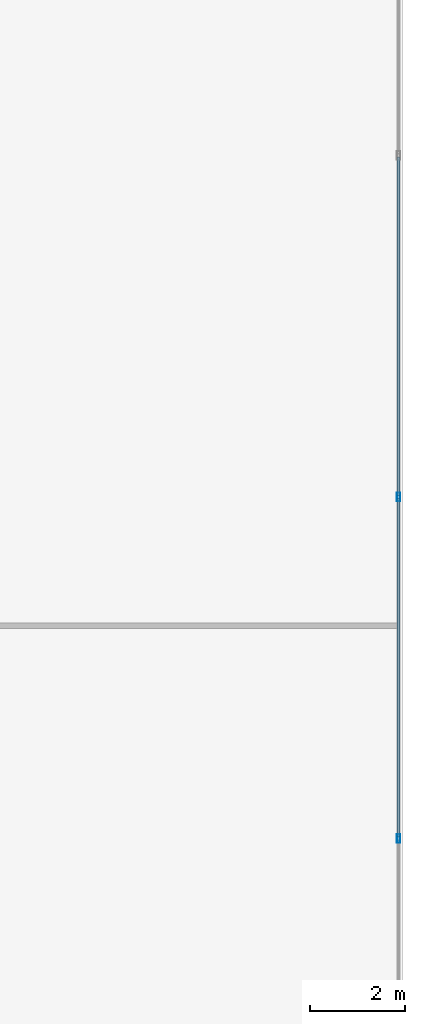
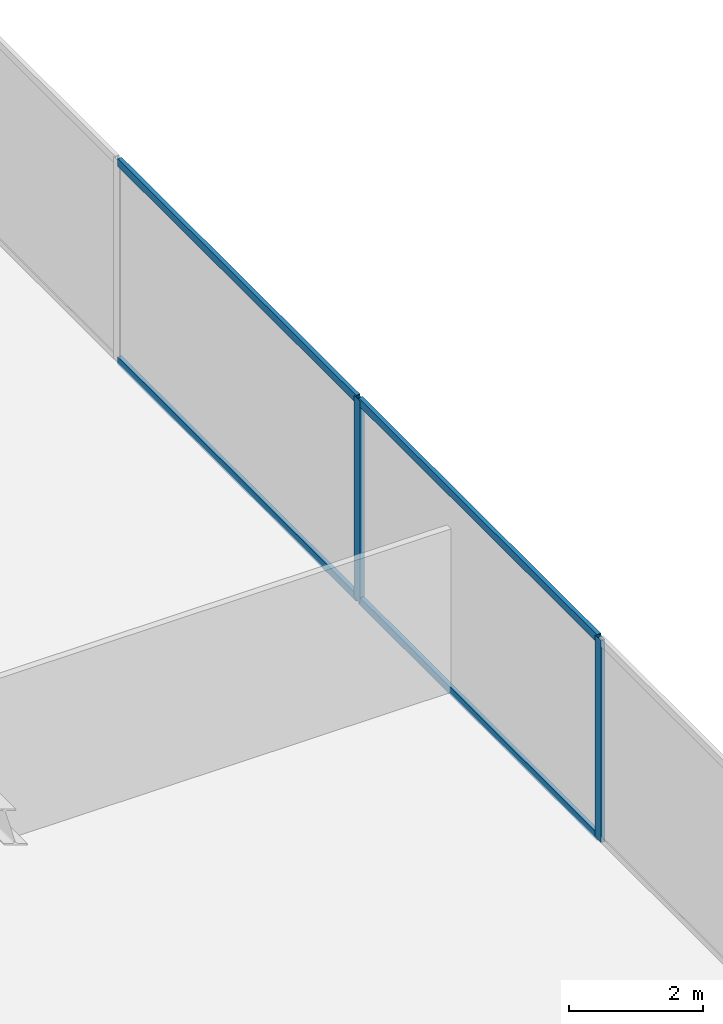
# One storey, part 14 of 28: 6 members, 1 element without a shape of its own.
"""IFC4 building model written with IfcOpenShell, lengths in metres."""

from ifc_helpers import new_model, si_unit, direction, frame, origin, origin_2d, place, context, subcontext, project, spatial, hollow_rectangle, extrude, source, transform, mapped, material, material_profile, profile_set, type_object, type_shapes, element, aggregate, save


model = new_model("IFC4")

# Units and contexts
model_context = context("Model", 3, precision=1e-05, world=origin(), true_north=direction((0.0, 1.0)))
body_context = subcontext(model_context, "Body", "Model", "MODEL_VIEW")
ifc_project = project(units=[si_unit("LENGTHUNIT", "METRE"), si_unit("AREAUNIT", "SQUARE_METRE"), si_unit("VOLUMEUNIT", "CUBIC_METRE"), si_unit("PLANEANGLEUNIT", "RADIAN"), si_unit("MASSUNIT", "GRAM", prefix="KILO")], contexts=[model_context])

# Site, building, storey
site_placement = place(None, origin())
site = spatial("IfcSite", under=ifc_project, at=site_placement, CompositionType="ELEMENT")
building_placement = place(site_placement, origin())
building = spatial("IfcBuilding", under=site, at=building_placement, Name="Krantzveldt Concourse Tower", CompositionType="ELEMENT")
storey_placement = place(building_placement, frame((0.0, 0.0, 28.949951171875)))
storey = spatial("IfcBuildingStorey", under=building, at=storey_placement, Name="L06", CompositionType="ELEMENT", Elevation=28.949951171875)

# Curtain wall, members
ifc_material = material(Name="Anodised aluminium 6063-T6", Category="aluminium")
curtain_wall_type = type_object("IfcCurtainWallType", Name="CW2", PredefinedType="USERDEFINED", material=ifc_material)
curtain_wall_placement = place(storey_placement, origin())
curtain_wall = element("IfcCurtainWall", 1, at=curtain_wall_placement, inside=storey, type_object=curtain_wall_type, Name="CW-L06-F07", ObjectType="UNITISED CURTAIN WALL", PredefinedType="USERDEFINED")
ifc_material_profile_1 = material_profile(ifc_material, hollow_rectangle(XDim=0.070068359375, YDim=0.139892578125, WallThickness=0.0048828125, at=origin_2d()), Name="Anodised aluminium 6063-T6", Category="aluminium")
ifc_profile_set_1 = profile_set([ifc_material_profile_1], Name="Anodised aluminium 6063-T6 - ALU-TRAN 140x70x5")
member_type_1 = type_object("IfcMemberType", Name="CW-TRN-150", PredefinedType="USERDEFINED", material=ifc_profile_set_1)
shared_shape_1 = source(origin(), body_context, "Body", "SweptSolid", [
    extrude(hollow_rectangle(XDim=0.070068359375, YDim=0.139892578125, WallThickness=0.0048828125, at=origin_2d()), origin(), (0.0, 0.0, 1.0), 7.0966796875),
])
type_shapes(member_type_1, [shared_shape_1])
member_1_placement = place(storey_placement, frame((60.909912109375, 19.568359375, 0.03515625), z_axis=(0.0, 1.0, 0.0), x_axis=(-1.0, 0.0, 0.0)))
member_1 = element("IfcMember", 2, at=member_1_placement, type_object=member_type_1, Name="CW-Z12 transom 3.1", ObjectType="TRANSOM", PredefinedType="USERDEFINED", context=body_context, shape_type="MappedRepresentation", body=[
    mapped(shared_shape_1, transform((0.0, 0.0, 0.0), x_axis=(1.0, 0.0, 0.0), y_axis=(0.0, 1.0, 0.0), z_axis=(0.0, 0.0, 1.0), scale=1.0)),
])
member_2_placement = place(storey_placement, frame((60.909912109375, 19.568359375, 3.635009765625), z_axis=(0.0, 1.0, 0.0), x_axis=(-1.0, 0.0, 0.0)))
member_2 = element("IfcMember", 3, at=member_2_placement, type_object=member_type_1, Name="CW-Z12 transom 3.2", ObjectType="TRANSOM", PredefinedType="USERDEFINED", context=body_context, shape_type="MappedRepresentation", body=[
    mapped(shared_shape_1, transform((0.0, 0.0, 0.0), x_axis=(1.0, 0.0, 0.0), y_axis=(0.0, 1.0, 0.0), z_axis=(0.0, 0.0, 1.0), scale=1.0)),
])
member_3_placement = place(storey_placement, frame((60.909912109375, 26.735107421875, 0.03515625), z_axis=(0.0, 1.0, 0.0), x_axis=(-1.0, 0.0, 0.0)))
member_3 = element("IfcMember", 4, at=member_3_placement, type_object=member_type_1, Name="CW-Z12 transom 4.1", ObjectType="TRANSOM", PredefinedType="USERDEFINED", context=body_context, shape_type="MappedRepresentation", body=[
    mapped(shared_shape_1, transform((0.0, 0.0, 0.0), x_axis=(1.0, 0.0, 0.0), y_axis=(0.0, 1.0, 0.0), z_axis=(0.0, 0.0, 1.0), scale=1.0)),
])
member_4_placement = place(storey_placement, frame((60.909912109375, 26.735107421875, 3.635009765625), z_axis=(0.0, 1.0, 0.0), x_axis=(-1.0, 0.0, 0.0)))
member_4 = element("IfcMember", 5, at=member_4_placement, type_object=member_type_1, Name="CW-Z12 transom 4.2", ObjectType="TRANSOM", PredefinedType="USERDEFINED", context=body_context, shape_type="MappedRepresentation", body=[
    mapped(shared_shape_1, transform((0.0, 0.0, 0.0), x_axis=(1.0, 0.0, 0.0), y_axis=(0.0, 1.0, 0.0), z_axis=(0.0, 0.0, 1.0), scale=1.0)),
])
ifc_material_profile_2 = material_profile(ifc_material, hollow_rectangle(XDim=0.070068359375, YDim=0.179931640625, WallThickness=0.0048828125, at=origin_2d()), Name="Anodised aluminium 6063-T6", Category="aluminium")
ifc_profile_set_2 = profile_set([ifc_material_profile_2], Name="Anodised aluminium 6063-T6 - ALU-MULL 180x70x5")
member_type_2 = type_object("IfcMemberType", Name="CW-MUL-180", PredefinedType="MULLION", material=ifc_profile_set_2)
shared_shape_2 = source(origin(), body_context, "Body", "SweptSolid", [
    extrude(hollow_rectangle(XDim=0.070068359375, YDim=0.179931640625, WallThickness=0.0048828125, at=origin_2d()), origin(), (0.0, 0.0, 1.0), 3.670166015625),
])
type_shapes(member_type_2, [shared_shape_2])
member_5_placement = place(storey_placement, frame((60.909912109375, 19.533447265625, 0.0), z_axis=(0.0, 0.0, 1.0), x_axis=(-1.0, 0.0, 0.0)))
member_5 = element("IfcMember", 6, at=member_5_placement, type_object=member_type_2, Name="CW-Z12 mullion 3", PredefinedType="MULLION", context=body_context, shape_type="MappedRepresentation", body=[
    mapped(shared_shape_2, transform((0.0, 0.0, 0.0), x_axis=(1.0, 0.0, 0.0), y_axis=(0.0, 1.0, 0.0), z_axis=(0.0, 0.0, 1.0), scale=1.0)),
])
member_6_placement = place(storey_placement, frame((60.909912109375, 26.699951171875, 0.0), z_axis=(0.0, 0.0, 1.0), x_axis=(-1.0, 0.0, 0.0)))
member_6 = element("IfcMember", 7, at=member_6_placement, type_object=member_type_2, Name="CW-Z12 mullion 4", PredefinedType="MULLION", context=body_context, shape_type="MappedRepresentation", body=[
    mapped(shared_shape_2, transform((0.0, 0.0, 0.0), x_axis=(1.0, 0.0, 0.0), y_axis=(0.0, 1.0, 0.0), z_axis=(0.0, 0.0, 1.0), scale=1.0)),
])
aggregate(curtain_wall, [member_5, member_6, member_1, member_2, member_3, member_4])

save(model, "model.ifc")
